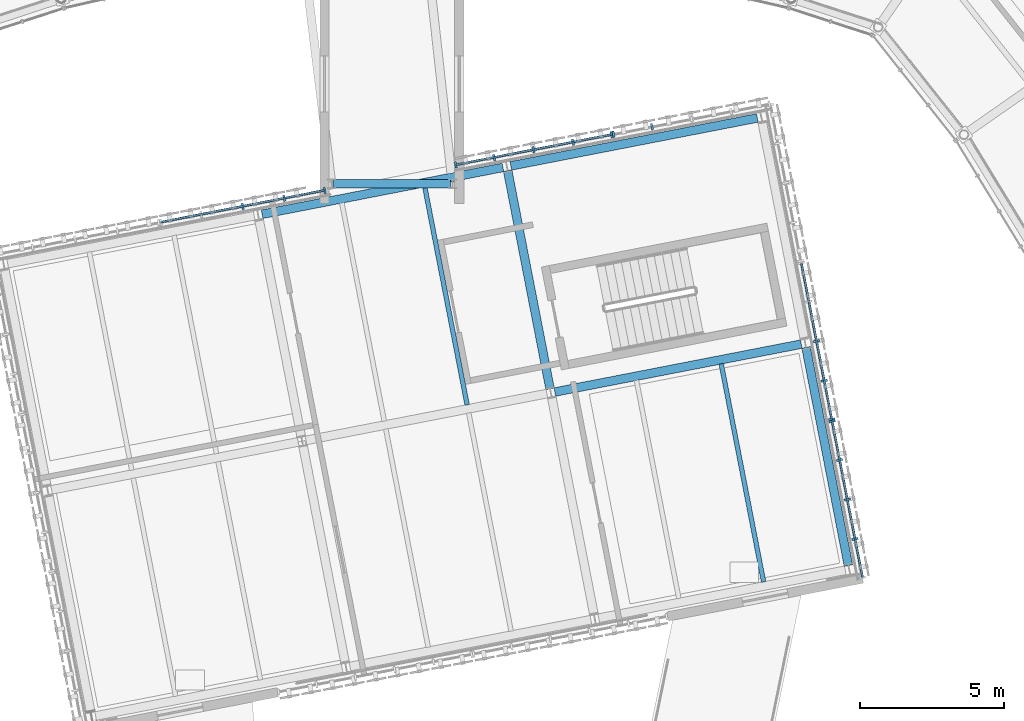
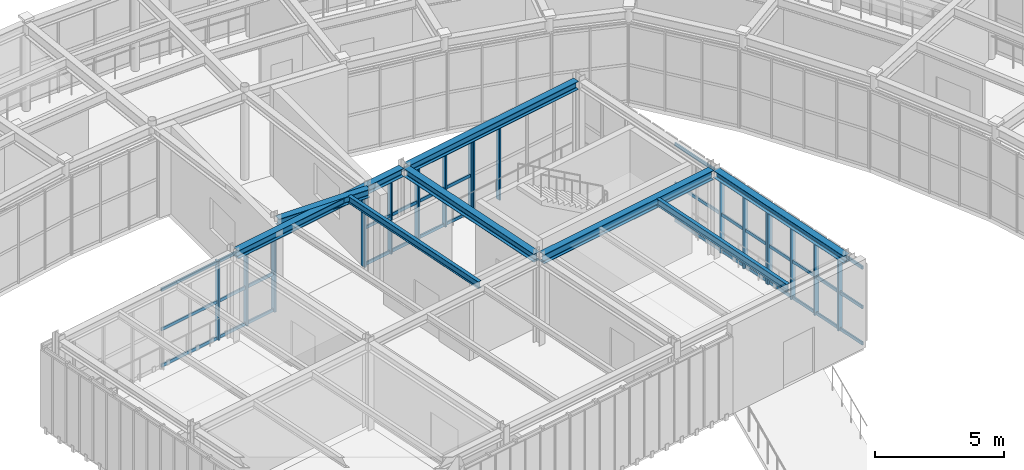
# One storey, part 45 of 103: 29 members, 8 beams, 5 elements without a shape of their own.
"""IFC4 building model written with IfcOpenShell, lengths in metres."""

from ifc_helpers import new_model, si_unit, direction, frame, origin, origin_2d, place, context, subcontext, project, spatial, rectangle, i_section, extrude, material, material_profile, profile_set, type_object, element, aggregate, save


model = new_model("IFC4")

# Units and contexts
model_context = context("Model", 3, precision=1e-05, world=origin(), true_north=direction((0.0, 1.0)))
body_context = subcontext(model_context, "Body", "Model", "MODEL_VIEW")
ifc_project = project(units=[si_unit("LENGTHUNIT", "METRE"), si_unit("AREAUNIT", "SQUARE_METRE"), si_unit("VOLUMEUNIT", "CUBIC_METRE"), si_unit("PLANEANGLEUNIT", "RADIAN"), si_unit("MASSUNIT", "GRAM", prefix="KILO")], contexts=[model_context])

# Site, building, storey
site_placement = place(None, origin())
site = spatial("IfcSite", under=ifc_project, at=site_placement, CompositionType="ELEMENT")
building_placement = place(site_placement, origin())
building = spatial("IfcBuilding", under=site, at=building_placement, Name="Varnklinge Art Gallery", CompositionType="ELEMENT")
storey_placement = place(building_placement, frame((0.0, 0.0, 5.10009765625)))
storey = spatial("IfcBuildingStorey", under=building, at=storey_placement, Name="L01", CompositionType="ELEMENT", Elevation=5.10009765625)

# Beams
ifc_material_1 = material(Name="Steel S355", Category="steel")
ifc_material_profile_1 = material_profile(ifc_material_1, i_section(OverallWidth=0.300048828125, OverallDepth=0.43994140625, WebThickness=0.011474609375, FlangeThickness=0.02099609375, FilletRadius=0.027099609375, at=origin_2d()), Name="HEA 450")
ifc_profile_set_1 = profile_set([ifc_material_profile_1], Name="Steel S355")
beam_type_1 = type_object("IfcBeamType", Name="BM-08", PredefinedType="BEAM", material=ifc_profile_set_1)
beam_1_placement = place(storey_placement, frame((79.95654296875, 73.3662109375, 3.97998046875), z_axis=(0.981628064538, 0.190804462503, 0.0), x_axis=(-0.190804462503, 0.981628064538, 0.0)))
element("IfcBeam", 1, at=beam_1_placement, inside=storey, type_object=beam_type_1, Name="L01 BM-08 BM-V4B-L02-U1-2", PredefinedType="BEAM", context=body_context, shape_type="SweptSolid", body=[
    extrude(i_section(OverallWidth=0.300048828125, OverallDepth=0.43994140625, WebThickness=0.011474609375, FlangeThickness=0.02099609375, FilletRadius=0.027099609375, at=origin_2d()), origin(), (0.0, 0.0, 1.0), 8.719970703125),
])
ifc_material_2 = material(Name="Steel S355", Category="steel")
ifc_material_profile_2 = material_profile(ifc_material_2, i_section(OverallWidth=0.300048828125, OverallDepth=0.389892578125, WebThickness=0.010986328125, FlangeThickness=0.01904296875, FilletRadius=0.027099609375, at=origin_2d()), Name="HEA 400")
ifc_profile_set_2 = profile_set([ifc_material_profile_2], Name="Steel S355")
beam_type_2 = type_object("IfcBeamType", Name="BM-09", PredefinedType="BEAM", material=ifc_profile_set_2)
beam_2_placement = place(storey_placement, frame((79.79248046875, 73.47705078125, 4.0048828125), z_axis=(-0.190822257393, 0.98162460548, 0.0), x_axis=(-0.98162460548, -0.190822257393, 0.0)))
element("IfcBeam", 2, at=beam_2_placement, inside=storey, type_object=beam_type_2, Name="L01 BM-09 BM-V4B-L02-V2-1", PredefinedType="BEAM", context=body_context, shape_type="SweptSolid", body=[
    extrude(i_section(OverallWidth=0.300048828125, OverallDepth=0.389892578125, WebThickness=0.010986328125, FlangeThickness=0.01904296875, FilletRadius=0.027099609375, at=origin_2d()), origin(), (0.0, 0.0, 1.0), 7.719970703125),
])
beam_3_placement = place(storey_placement, frame((72.260009765625, 80.60009765625, 4.0048828125), z_axis=(1.0, 0.0, 0.0), x_axis=(0.0, 1.0, 0.0)))
element("IfcBeam", 3, at=beam_3_placement, inside=storey, type_object=beam_type_2, Name="L01 BM-09 BM-LNK-V4N-L02-1", PredefinedType="BEAM", context=body_context, shape_type="SweptSolid", body=[
    extrude(i_section(OverallWidth=0.300048828125, OverallDepth=0.389892578125, WebThickness=0.010986328125, FlangeThickness=0.01904296875, FilletRadius=0.027099609375, at=origin_2d()), origin(), (0.0, 0.0, 1.0), 4.080078125),
])
ifc_material_3 = material(Name="Steel S355", Category="steel")
ifc_material_profile_3 = material_profile(ifc_material_3, i_section(OverallWidth=0.159912109375, OverallDepth=0.330078125, WebThickness=0.007568359375, FlangeThickness=0.011474609375, FilletRadius=0.01806640625, at=origin_2d()), Name="IPE 330")
ifc_profile_set_3 = profile_set([ifc_material_profile_3], Name="Steel S355")
beam_type_3 = type_object("IfcBeamType", Name="JST-07", PredefinedType="JOIST", material=ifc_profile_set_3)
beam_4_placement = place(storey_placement, frame((76.9130859375, 72.917236328125, 4.034912109375), z_axis=(-0.190816333803, 0.981625756974, 0.0), x_axis=(-0.981625756974, -0.190816333803, 0.0)))
element("IfcBeam", 4, at=beam_4_placement, inside=storey, type_object=beam_type_3, Name="L01 JST-07 JST-V4B-L02-1-1-2", PredefinedType="JOIST", context=body_context, shape_type="SweptSolid", body=[
    extrude(i_section(OverallWidth=0.159912109375, OverallDepth=0.330078125, WebThickness=0.007568359375, FlangeThickness=0.011474609375, FilletRadius=0.01806640625, at=origin_2d()), origin(), (0.0, 0.0, 1.0), 7.72021484375),
])
beam_5_placement = place(storey_placement, frame((87.208740234375, 66.768798828125, 4.034912109375), z_axis=(-0.190822257393, 0.98162460548, 0.0), x_axis=(-0.98162460548, -0.190822257393, 0.0)))
element("IfcBeam", 5, at=beam_5_placement, inside=storey, type_object=beam_type_3, Name="L01 JST-07 JST-V4B-L02-2-0-2", PredefinedType="JOIST", context=body_context, shape_type="SweptSolid", body=[
    extrude(i_section(OverallWidth=0.159912109375, OverallDepth=0.330078125, WebThickness=0.007568359375, FlangeThickness=0.011474609375, FilletRadius=0.01806640625, at=origin_2d()), origin(), (0.0, 0.0, 1.0), 7.719970703125),
])

# Curtain wall, members
ifc_material_4 = material(Name="Anodised Aluminium", Category="aluminium")
curtain_wall_type_1 = type_object("IfcCurtainWallType", Name="CW-L06", PredefinedType="USERDEFINED", material=ifc_material_4)
curtain_wall_1_placement = place(storey_placement, origin())
curtain_wall_1 = element("IfcCurtainWall", 6, at=curtain_wall_1_placement, inside=storey, type_object=curtain_wall_type_1, Name="L01 Curtain Wall CW-V4B-L01-2-1-1", ObjectType="UNITISED CURTAIN WALL", PredefinedType="USERDEFINED")
ifc_material_5 = material(Name="Anodised Aluminium", Category="aluminium")
ifc_material_profile_4 = material_profile(ifc_material_5, rectangle(XDim=0.074951171875, YDim=0.219970703125, at=origin_2d()), Name="ALU 75x220")
ifc_profile_set_4 = profile_set([ifc_material_profile_4], Name="Anodised Aluminium")
member_type_1 = type_object("IfcMemberType", Name="MUL-02", PredefinedType="MULLION", material=ifc_profile_set_4)
member_1_placement = place(storey_placement, frame((90.382080078125, 68.26171875, 0.0), z_axis=(0.0, 0.0, 1.0), x_axis=(-0.190808995377, 0.981627183448, 0.0)))
member_1 = element("IfcMember", 7, at=member_1_placement, type_object=member_type_1, Name="CW-V4B-L01-2-1-1 Mullion 2", PredefinedType="MULLION", context=body_context, shape_type="SweptSolid", body=[
    extrude(rectangle(XDim=0.074951171875, YDim=0.219970703125, at=origin_2d()), origin(), (0.0, 0.0, 1.0), 3.75),
])
member_2_placement = place(storey_placement, frame((90.114990234375, 69.635986328125, 0.0), z_axis=(0.0, 0.0, 1.0), x_axis=(-0.190808995377, 0.981627183448, 0.0)))
member_2 = element("IfcMember", 8, at=member_2_placement, type_object=member_type_1, Name="CW-V4B-L01-2-1-1 Mullion 3", PredefinedType="MULLION", context=body_context, shape_type="SweptSolid", body=[
    extrude(rectangle(XDim=0.074951171875, YDim=0.219970703125, at=origin_2d()), origin(), (0.0, 0.0, 1.0), 3.75),
])
member_3_placement = place(storey_placement, frame((89.847900390625, 71.01025390625, 0.0), z_axis=(0.0, 0.0, 1.0), x_axis=(-0.190808995377, 0.981627183448, 0.0)))
member_3 = element("IfcMember", 9, at=member_3_placement, type_object=member_type_1, Name="CW-V4B-L01-2-1-1 Mullion 4", PredefinedType="MULLION", context=body_context, shape_type="SweptSolid", body=[
    extrude(rectangle(XDim=0.074951171875, YDim=0.219970703125, at=origin_2d()), origin(), (0.0, 0.0, 1.0), 3.75),
])
member_4_placement = place(storey_placement, frame((89.587890625, 72.347900390625, 0.0), z_axis=(0.0, 0.0, 1.0), x_axis=(-0.190808995377, 0.981627183448, 0.0)))
member_4 = element("IfcMember", 10, at=member_4_placement, type_object=member_type_1, Name="CW-V4B-L01-2-1-1 Mullion 5", PredefinedType="MULLION", context=body_context, shape_type="SweptSolid", body=[
    extrude(rectangle(XDim=0.074951171875, YDim=0.219970703125, at=origin_2d()), origin(), (0.0, 0.0, 1.0), 3.75),
])

curtain_wall_2_placement = place(storey_placement, origin())
curtain_wall_2 = element("IfcCurtainWall", 11, at=curtain_wall_2_placement, inside=storey, type_object=curtain_wall_type_1, Name="L01 Curtain Wall CW-V4B-L01-2-1-2", ObjectType="UNITISED CURTAIN WALL", PredefinedType="USERDEFINED")
member_5_placement = place(storey_placement, frame((89.573486328125, 72.42138671875, 0.0), z_axis=(0.0, 0.0, 1.0), x_axis=(-0.190808995377, 0.981627183448, 0.0)))
member_5 = element("IfcMember", 12, at=member_5_placement, type_object=member_type_1, Name="CW-V4B-L01-2-1-2 Mullion 1", PredefinedType="MULLION", context=body_context, shape_type="SweptSolid", body=[
    extrude(rectangle(XDim=0.074951171875, YDim=0.219970703125, at=origin_2d()), origin(), (0.0, 0.0, 1.0), 3.75),
])
member_6_placement = place(storey_placement, frame((89.313720703125, 73.7587890625, 0.0), z_axis=(0.0, 0.0, 1.0), x_axis=(-0.190808995377, 0.981627183448, 0.0)))
member_6 = element("IfcMember", 13, at=member_6_placement, type_object=member_type_1, Name="CW-V4B-L01-2-1-2 Mullion 2", PredefinedType="MULLION", context=body_context, shape_type="SweptSolid", body=[
    extrude(rectangle(XDim=0.074951171875, YDim=0.219970703125, at=origin_2d()), origin(), (0.0, 0.0, 1.0), 3.75),
])
member_7_placement = place(storey_placement, frame((89.04638671875, 75.13330078125, 0.0), z_axis=(0.0, 0.0, 1.0), x_axis=(-0.190808995377, 0.981627183448, 0.0)))
member_7 = element("IfcMember", 14, at=member_7_placement, type_object=member_type_1, Name="CW-V4B-L01-2-1-2 Mullion 3", PredefinedType="MULLION", context=body_context, shape_type="SweptSolid", body=[
    extrude(rectangle(XDim=0.074951171875, YDim=0.219970703125, at=origin_2d()), origin(), (0.0, 0.0, 1.0), 3.75),
])

curtain_wall_3_placement = place(storey_placement, origin())
curtain_wall_3 = element("IfcCurtainWall", 15, at=curtain_wall_3_placement, inside=storey, type_object=curtain_wall_type_1, Name="L01 Curtain Wall CW-V4B-L01-3-1-1", ObjectType="UNITISED CURTAIN WALL", PredefinedType="USERDEFINED")
member_8_placement = place(storey_placement, frame((83.332275390625, 82.57958984375, 0.0), z_axis=(0.0, 0.0, 1.0), x_axis=(-0.981627183448, -0.190808995377, 0.0)))
member_8 = element("IfcMember", 16, at=member_8_placement, type_object=member_type_1, Name="CW-V4B-L01-3-1-1 Mullion 4", PredefinedType="MULLION", context=body_context, shape_type="SweptSolid", body=[
    extrude(rectangle(XDim=0.074951171875, YDim=0.219970703125, at=origin_2d()), origin(), (0.0, 0.0, 1.0), 3.75),
])
member_9_placement = place(storey_placement, frame((81.99853515625, 82.3203125, 0.0), z_axis=(0.0, 0.0, 1.0), x_axis=(-0.981627183448, -0.190808995377, 0.0)))
member_9 = element("IfcMember", 17, at=member_9_placement, type_object=member_type_1, Name="CW-V4B-L01-3-1-1 Mullion 5", PredefinedType="MULLION", context=body_context, shape_type="SweptSolid", body=[
    extrude(rectangle(XDim=0.074951171875, YDim=0.219970703125, at=origin_2d()), origin(), (0.0, 0.0, 1.0), 3.75),
])
aggregate(curtain_wall_3, [member_8, member_9])

curtain_wall_4_placement = place(storey_placement, origin())
curtain_wall_4 = element("IfcCurtainWall", 18, at=curtain_wall_4_placement, inside=storey, type_object=curtain_wall_type_1, Name="L01 Curtain Wall CW-V4B-L01-3-1-2", ObjectType="UNITISED CURTAIN WALL", PredefinedType="USERDEFINED")
member_10_placement = place(storey_placement, frame((81.925048828125, 82.305908203125, 0.0), z_axis=(0.0, 0.0, 1.0), x_axis=(-0.981627183448, -0.190808995377, 0.0)))
member_10 = element("IfcMember", 19, at=member_10_placement, type_object=member_type_1, Name="CW-V4B-L01-3-1-2 Mullion 1", PredefinedType="MULLION", context=body_context, shape_type="SweptSolid", body=[
    extrude(rectangle(XDim=0.074951171875, YDim=0.219970703125, at=origin_2d()), origin(), (0.0, 0.0, 1.0), 3.75),
])
member_11_placement = place(storey_placement, frame((80.59130859375, 82.046875, 0.0), z_axis=(0.0, 0.0, 1.0), x_axis=(-0.981627183448, -0.190808995377, 0.0)))
member_11 = element("IfcMember", 20, at=member_11_placement, type_object=member_type_1, Name="CW-V4B-L01-3-1-2 Mullion 2", PredefinedType="MULLION", context=body_context, shape_type="SweptSolid", body=[
    extrude(rectangle(XDim=0.074951171875, YDim=0.219970703125, at=origin_2d()), origin(), (0.0, 0.0, 1.0), 3.75),
])
member_12_placement = place(storey_placement, frame((79.220947265625, 81.780517578125, 0.0), z_axis=(0.0, 0.0, 1.0), x_axis=(-0.981627183448, -0.190808995377, 0.0)))
member_12 = element("IfcMember", 21, at=member_12_placement, type_object=member_type_1, Name="CW-V4B-L01-3-1-2 Mullion 3", PredefinedType="MULLION", context=body_context, shape_type="SweptSolid", body=[
    extrude(rectangle(XDim=0.074951171875, YDim=0.219970703125, at=origin_2d()), origin(), (0.0, 0.0, 1.0), 3.75),
])
member_13_placement = place(storey_placement, frame((77.850341796875, 81.51416015625, 0.0), z_axis=(0.0, 0.0, 1.0), x_axis=(-0.981627183448, -0.190808995377, 0.0)))
member_13 = element("IfcMember", 22, at=member_13_placement, type_object=member_type_1, Name="CW-V4B-L01-3-1-2 Mullion 4", PredefinedType="MULLION", context=body_context, shape_type="SweptSolid", body=[
    extrude(rectangle(XDim=0.074951171875, YDim=0.219970703125, at=origin_2d()), origin(), (0.0, 0.0, 1.0), 3.75),
])
member_14_placement = place(storey_placement, frame((76.516845703125, 81.2548828125, 0.0), z_axis=(0.0, 0.0, 1.0), x_axis=(-0.981627183448, -0.190808995377, 0.0)))
member_14 = element("IfcMember", 23, at=member_14_placement, type_object=member_type_1, Name="CW-V4B-L01-3-1-2 Mullion 5", PredefinedType="MULLION", context=body_context, shape_type="SweptSolid", body=[
    extrude(rectangle(XDim=0.074951171875, YDim=0.219970703125, at=origin_2d()), origin(), (0.0, 0.0, 1.0), 3.75),
])

ifc_material_6 = material(Name="Anodised Aluminium", Category="aluminium")
curtain_wall_type_2 = type_object("IfcCurtainWallType", Name="CW-L02", PredefinedType="USERDEFINED", material=ifc_material_6)
curtain_wall_5_placement = place(storey_placement, origin())
curtain_wall_5 = element("IfcCurtainWall", 24, at=curtain_wall_5_placement, inside=storey, type_object=curtain_wall_type_2, Name="L01 Curtain Wall CW-V4B-L01-3-2-1", ObjectType="UNITISED CURTAIN WALL", PredefinedType="USERDEFINED")
member_15_placement = place(storey_placement, frame((71.963134765625, 80.36962890625, 0.0), z_axis=(0.0, 0.0, 1.0), x_axis=(-0.981627183448, -0.190808995377, 0.0)))
member_15 = element("IfcMember", 25, at=member_15_placement, type_object=member_type_1, Name="CW-V4B-L01-3-2-1 Mullion 1", PredefinedType="MULLION", context=body_context, shape_type="SweptSolid", body=[
    extrude(rectangle(XDim=0.074951171875, YDim=0.219970703125, at=origin_2d()), origin(), (0.0, 0.0, 1.0), 3.75),
])
member_16_placement = place(storey_placement, frame((70.558837890625, 80.0966796875, 0.0), z_axis=(0.0, 0.0, 1.0), x_axis=(-0.981627183448, -0.190808995377, 0.0)))
member_16 = element("IfcMember", 26, at=member_16_placement, type_object=member_type_1, Name="CW-V4B-L01-3-2-1 Mullion 2", PredefinedType="MULLION", context=body_context, shape_type="SweptSolid", body=[
    extrude(rectangle(XDim=0.074951171875, YDim=0.219970703125, at=origin_2d()), origin(), (0.0, 0.0, 1.0), 3.75),
])
member_17_placement = place(storey_placement, frame((69.11767578125, 79.816650390625, 0.0), z_axis=(0.0, 0.0, 1.0), x_axis=(-0.981627183448, -0.190808995377, 0.0)))
member_17 = element("IfcMember", 27, at=member_17_placement, type_object=member_type_1, Name="CW-V4B-L01-3-2-1 Mullion 3", PredefinedType="MULLION", context=body_context, shape_type="SweptSolid", body=[
    extrude(rectangle(XDim=0.074951171875, YDim=0.219970703125, at=origin_2d()), origin(), (0.0, 0.0, 1.0), 3.75),
])

# Beams
ifc_material_7 = material(Name="Steel S355", Category="steel")
ifc_material_profile_5 = material_profile(ifc_material_7, i_section(OverallWidth=0.300048828125, OverallDepth=0.389892578125, WebThickness=0.010986328125, FlangeThickness=0.01904296875, FilletRadius=0.027099609375, at=origin_2d()), Name="HEA 400")
ifc_profile_set_5 = profile_set([ifc_material_profile_5], Name="Steel S355")
beam_type_4 = type_object("IfcBeamType", Name="SPB-03", PredefinedType="SPANDREL", material=ifc_profile_set_5)
beam_6_placement = place(storey_placement, frame((69.791748046875, 79.540283203125, 4.0048828125), z_axis=(0.981626572932, 0.190812136181, 0.0), x_axis=(-0.190812136181, 0.981626572932, 0.0)))
element("IfcBeam", 28, at=beam_6_placement, inside=storey, type_object=beam_type_4, Name="L01 SPB-03 BM-V4B-L02-U2-1", PredefinedType="SPANDREL", context=body_context, shape_type="SweptSolid", body=[
    extrude(i_section(OverallWidth=0.300048828125, OverallDepth=0.389892578125, WebThickness=0.010986328125, FlangeThickness=0.01904296875, FilletRadius=0.027099609375, at=origin_2d()), origin(), (0.0, 0.0, 1.0), 8.52001953125),
])
beam_7_placement = place(storey_placement, frame((78.43017578125, 81.21923828125, 4.0048828125), z_axis=(0.98162282025, 0.190831440713, 0.0), x_axis=(-0.190831440713, 0.98162282025, 0.0)))
element("IfcBeam", 29, at=beam_7_placement, inside=storey, type_object=beam_type_4, Name="L01 SPB-03 BM-V4B-L02-U2-2", PredefinedType="SPANDREL", context=body_context, shape_type="SweptSolid", body=[
    extrude(i_section(OverallWidth=0.300048828125, OverallDepth=0.389892578125, WebThickness=0.010986328125, FlangeThickness=0.01904296875, FilletRadius=0.027099609375, at=origin_2d()), origin(), (0.0, 0.0, 1.0), 8.719970703125),
])
ifc_material_8 = material(Name="Steel S355", Category="steel")
ifc_material_profile_6 = material_profile(ifc_material_8, i_section(OverallWidth=0.300048828125, OverallDepth=0.35009765625, WebThickness=0.010009765625, FlangeThickness=0.017578125, FilletRadius=0.027099609375, at=origin_2d()), Name="HEA 360")
ifc_profile_set_6 = profile_set([ifc_material_profile_6], Name="Steel S355")
beam_type_5 = type_object("IfcBeamType", Name="SPB-04", PredefinedType="SPANDREL", material=ifc_profile_set_6)
beam_8_placement = place(storey_placement, frame((90.153564453125, 67.34130859375, 4.02490234375), z_axis=(-0.190822257393, 0.98162460548, 0.0), x_axis=(-0.98162460548, -0.190822257393, 0.0)))
element("IfcBeam", 30, at=beam_8_placement, inside=storey, type_object=beam_type_5, Name="L01 SPB-04 BM-V4B-L02-V3-0", PredefinedType="SPANDREL", context=body_context, shape_type="SweptSolid", body=[
    extrude(i_section(OverallWidth=0.300048828125, OverallDepth=0.35009765625, WebThickness=0.010009765625, FlangeThickness=0.017578125, FilletRadius=0.027099609375, at=origin_2d()), origin(), (0.0, 0.0, 1.0), 7.719970703125),
])

# Member
ifc_material_9 = material(Name="Anodised Aluminium", Category="aluminium")
ifc_material_profile_7 = material_profile(ifc_material_9, rectangle(XDim=0.06494140625, YDim=0.14990234375, at=origin_2d()), Name="ALU 65x150")
ifc_profile_set_7 = profile_set([ifc_material_profile_7], Name="Anodised Aluminium")
member_type_2 = type_object("IfcMemberType", Name="TRN-01", PredefinedType="USERDEFINED", material=ifc_profile_set_7)
member_18_placement = place(storey_placement, frame((90.64208984375, 66.92431640625, 0.074951171875), z_axis=(-0.190802243749, 0.981628495807, 0.0), x_axis=(-0.981628495807, -0.190802243749, 0.0)))
member_18 = element("IfcMember", 31, at=member_18_placement, type_object=member_type_2, Name="CW-V4B-L01-2-1-1 Transom 1", ObjectType="TRANSOM", PredefinedType="USERDEFINED", context=body_context, shape_type="SweptSolid", body=[
    extrude(rectangle(XDim=0.06494140625, YDim=0.14990234375, at=origin_2d()), origin(), (0.0, 0.0, 1.0), 5.525146484375),
])

member_19_placement = place(storey_placement, frame((90.64208984375, 66.92431640625, 1.7998046875), z_axis=(-0.190802243749, 0.981628495807, 0.0), x_axis=(-0.981628495807, -0.190802243749, 0.0)))
member_19 = element("IfcMember", 32, at=member_19_placement, type_object=member_type_2, Name="CW-V4B-L01-2-1-1 Transom 2", ObjectType="TRANSOM", PredefinedType="USERDEFINED", context=body_context, shape_type="SweptSolid", body=[
    extrude(rectangle(XDim=0.06494140625, YDim=0.14990234375, at=origin_2d()), origin(), (0.0, 0.0, 1.0), 5.525146484375),
])

member_20_placement = place(storey_placement, frame((90.64208984375, 66.92431640625, 3.6748046875), z_axis=(-0.190802243749, 0.981628495807, 0.0), x_axis=(-0.981628495807, -0.190802243749, 0.0)))
member_20 = element("IfcMember", 33, at=member_20_placement, type_object=member_type_2, Name="CW-V4B-L01-2-1-1 Transom 3", ObjectType="TRANSOM", PredefinedType="USERDEFINED", context=body_context, shape_type="SweptSolid", body=[
    extrude(rectangle(XDim=0.06494140625, YDim=0.14990234375, at=origin_2d()), origin(), (0.0, 0.0, 1.0), 5.525146484375),
])

aggregate(curtain_wall_1, [member_1, member_2, member_3, member_4, member_18, member_19, member_20])

member_21_placement = place(storey_placement, frame((89.573486328125, 72.42138671875, 0.074951171875), z_axis=(-0.190802243749, 0.981628495807, 0.0), x_axis=(-0.981628495807, -0.190802243749, 0.0)))
member_21 = element("IfcMember", 34, at=member_21_placement, type_object=member_type_2, Name="CW-V4B-L01-2-1-2 Transom 1", ObjectType="TRANSOM", PredefinedType="USERDEFINED", context=body_context, shape_type="SweptSolid", body=[
    extrude(rectangle(XDim=0.06494140625, YDim=0.14990234375, at=origin_2d()), origin(), (0.0, 0.0, 1.0), 5.525146484375),
])

member_22_placement = place(storey_placement, frame((89.573486328125, 72.42138671875, 1.7998046875), z_axis=(-0.190802243749, 0.981628495807, 0.0), x_axis=(-0.981628495807, -0.190802243749, 0.0)))
member_22 = element("IfcMember", 35, at=member_22_placement, type_object=member_type_2, Name="CW-V4B-L01-2-1-2 Transom 2", ObjectType="TRANSOM", PredefinedType="USERDEFINED", context=body_context, shape_type="SweptSolid", body=[
    extrude(rectangle(XDim=0.06494140625, YDim=0.14990234375, at=origin_2d()), origin(), (0.0, 0.0, 1.0), 5.525146484375),
])

member_23_placement = place(storey_placement, frame((89.573486328125, 72.42138671875, 3.6748046875), z_axis=(-0.190802243749, 0.981628495807, 0.0), x_axis=(-0.981628495807, -0.190802243749, 0.0)))
member_23 = element("IfcMember", 36, at=member_23_placement, type_object=member_type_2, Name="CW-V4B-L01-2-1-2 Transom 3", ObjectType="TRANSOM", PredefinedType="USERDEFINED", context=body_context, shape_type="SweptSolid", body=[
    extrude(rectangle(XDim=0.06494140625, YDim=0.14990234375, at=origin_2d()), origin(), (0.0, 0.0, 1.0), 5.525146484375),
])

aggregate(curtain_wall_2, [member_5, member_6, member_7, member_21, member_22, member_23])

member_24_placement = place(storey_placement, frame((81.925048828125, 82.305908203125, 0.074951171875), z_axis=(-0.981634757396, -0.190770026661, 0.0), x_axis=(0.190770026661, -0.981634757396, 0.0)))
member_24 = element("IfcMember", 37, at=member_24_placement, type_object=member_type_2, Name="CW-V4B-L01-3-1-2 Transom 1", ObjectType="TRANSOM", PredefinedType="USERDEFINED", context=body_context, shape_type="SweptSolid", body=[
    extrude(rectangle(XDim=0.06494140625, YDim=0.14990234375, at=origin_2d()), origin(), (0.0, 0.0, 1.0), 5.50927734375),
])

member_25_placement = place(storey_placement, frame((81.925048828125, 82.305908203125, 1.7998046875), z_axis=(-0.981634757396, -0.190770026661, 0.0), x_axis=(0.190770026661, -0.981634757396, 0.0)))
member_25 = element("IfcMember", 38, at=member_25_placement, type_object=member_type_2, Name="CW-V4B-L01-3-1-2 Transom 2", ObjectType="TRANSOM", PredefinedType="USERDEFINED", context=body_context, shape_type="SweptSolid", body=[
    extrude(rectangle(XDim=0.06494140625, YDim=0.14990234375, at=origin_2d()), origin(), (0.0, 0.0, 1.0), 5.50927734375),
])

member_26_placement = place(storey_placement, frame((81.925048828125, 82.305908203125, 3.6748046875), z_axis=(-0.981634757396, -0.190770026661, 0.0), x_axis=(0.190770026661, -0.981634757396, 0.0)))
member_26 = element("IfcMember", 39, at=member_26_placement, type_object=member_type_2, Name="CW-V4B-L01-3-1-2 Transom 3", ObjectType="TRANSOM", PredefinedType="USERDEFINED", context=body_context, shape_type="SweptSolid", body=[
    extrude(rectangle(XDim=0.06494140625, YDim=0.14990234375, at=origin_2d()), origin(), (0.0, 0.0, 1.0), 5.50927734375),
])

aggregate(curtain_wall_4, [member_10, member_11, member_12, member_13, member_14, member_24, member_25, member_26])

member_27_placement = place(storey_placement, frame((71.963134765625, 80.36962890625, 0.074951171875), z_axis=(-0.981635109838, -0.190768213109, 0.0), x_axis=(0.190768213109, -0.981635109838, 0.0)))
member_27 = element("IfcMember", 40, at=member_27_placement, type_object=member_type_2, Name="CW-V4B-L01-3-2-1 Transom 1", ObjectType="TRANSOM", PredefinedType="USERDEFINED", context=body_context, shape_type="SweptSolid", body=[
    extrude(rectangle(XDim=0.06494140625, YDim=0.14990234375, at=origin_2d()), origin(), (0.0, 0.0, 1.0), 5.79736328125),
])

member_28_placement = place(storey_placement, frame((71.963134765625, 80.36962890625, 1.7998046875), z_axis=(-0.981635109838, -0.190768213109, 0.0), x_axis=(0.190768213109, -0.981635109838, 0.0)))
member_28 = element("IfcMember", 41, at=member_28_placement, type_object=member_type_2, Name="CW-V4B-L01-3-2-1 Transom 2", ObjectType="TRANSOM", PredefinedType="USERDEFINED", context=body_context, shape_type="SweptSolid", body=[
    extrude(rectangle(XDim=0.06494140625, YDim=0.14990234375, at=origin_2d()), origin(), (0.0, 0.0, 1.0), 5.79736328125),
])

member_29_placement = place(storey_placement, frame((71.963134765625, 80.36962890625, 3.6748046875), z_axis=(-0.981635109838, -0.190768213109, 0.0), x_axis=(0.190768213109, -0.981635109838, 0.0)))
member_29 = element("IfcMember", 42, at=member_29_placement, type_object=member_type_2, Name="CW-V4B-L01-3-2-1 Transom 3", ObjectType="TRANSOM", PredefinedType="USERDEFINED", context=body_context, shape_type="SweptSolid", body=[
    extrude(rectangle(XDim=0.06494140625, YDim=0.14990234375, at=origin_2d()), origin(), (0.0, 0.0, 1.0), 5.79736328125),
])

aggregate(curtain_wall_5, [member_15, member_16, member_17, member_27, member_28, member_29])

save(model, "model.ifc")
